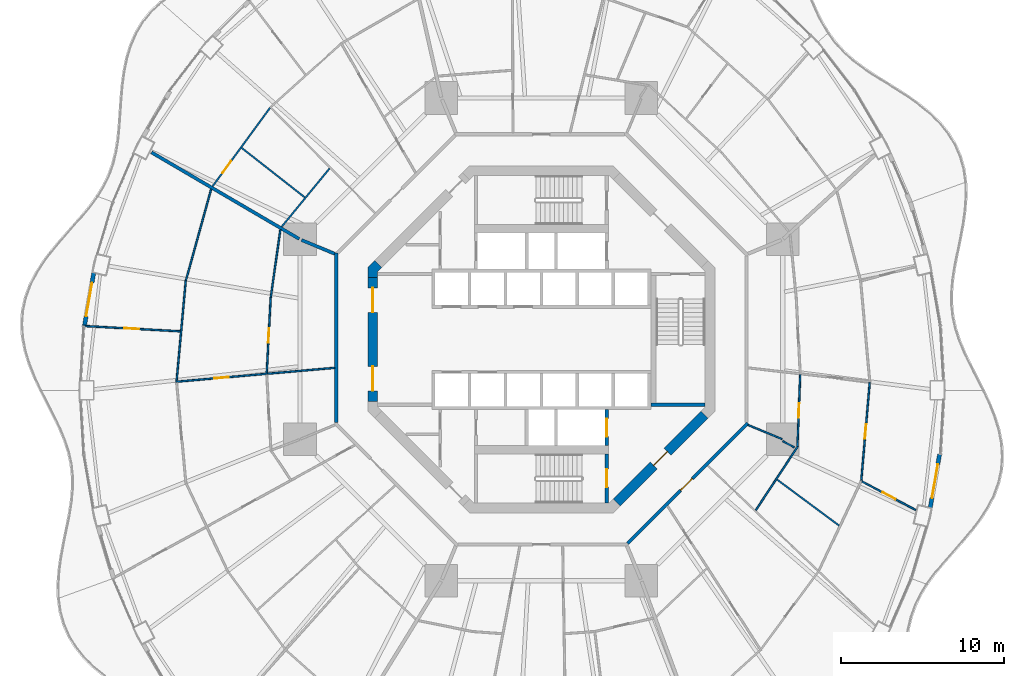
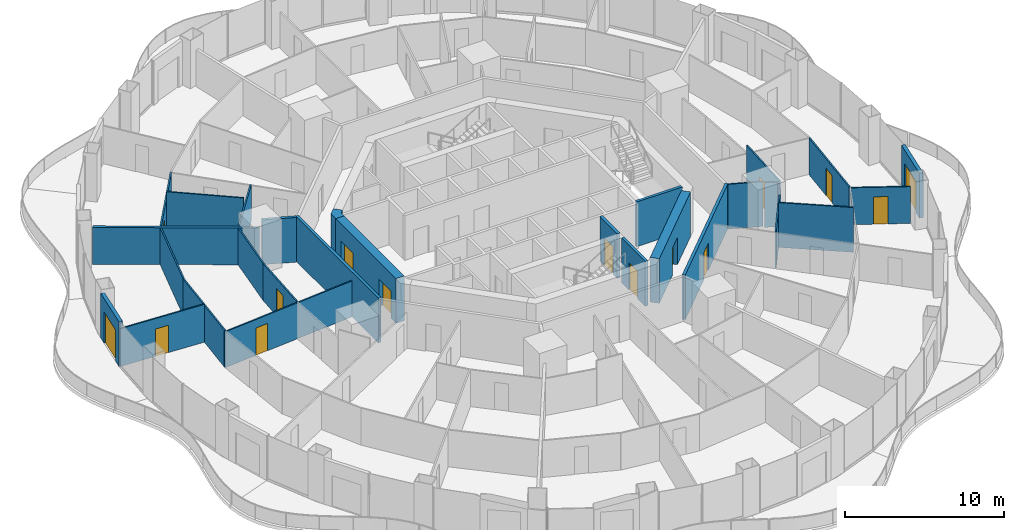
# One storey, part 14 of 20: 28 walls, 15 doors, 15 openings.
"""IFC4 building model written with IfcOpenShell, lengths in metres."""

from ifc_helpers import new_model, si_unit, direction, frame, frame_2d, origin, place, context, subcontext, project, spatial, polyline, rectangle, outline, extrude, material, layer, layer_set, type_object, element, fill, save


model = new_model("IFC4")

# Units and contexts
model_context = context("Model", 3, precision=1e-05, world=origin(), true_north=direction((0.0, 1.0)))
body_context = subcontext(model_context, "Body", "Model", "MODEL_VIEW")
ifc_project = project(units=[si_unit("LENGTHUNIT", "METRE"), si_unit("AREAUNIT", "SQUARE_METRE"), si_unit("VOLUMEUNIT", "CUBIC_METRE"), si_unit("PLANEANGLEUNIT", "RADIAN"), si_unit("MASSUNIT", "GRAM", prefix="KILO")], contexts=[model_context])

# Site, building, storey
site_placement = place(None, origin())
site = spatial("IfcSite", under=ifc_project, at=site_placement, CompositionType="ELEMENT")
building_placement = place(site_placement, origin())
building = spatial("IfcBuilding", under=site, at=building_placement, Name="Nagisa Residences", CompositionType="ELEMENT")
storey_placement = place(building_placement, frame((0.0, 0.0, 130.699951171875)))
storey = spatial("IfcBuildingStorey", under=building, at=storey_placement, Name="L32", CompositionType="ELEMENT", Elevation=130.699951171875)

# Walls
ifc_material_1 = material(Name="Gypsum board on steel studs", Category="steel")
ifc_layer_1 = layer(ifc_material_1, 0.199951171875)
ifc_layer_set_1 = layer_set([ifc_layer_1], Name="Apartment compartment wall EI60 200")
wall_type_1 = type_object("IfcWallType", Name="Apartment compartment wall EI60 200", PredefinedType="PARTITIONING", material=ifc_layer_set_1)
wall_1_placement = place(storey_placement, frame((-12.6572265625, 5.24267578125, 0.0), z_axis=(0.0, 0.0, 1.0), x_axis=(-0.923869415315, 0.382707856524, 0.0)))
element("IfcWall", 1, at=wall_1_placement, inside=storey, type_object=wall_type_1, Name="wall:L32:u04", PredefinedType="PARTITIONING", context=body_context, shape_type="SweptSolid", body=[
    extrude(rectangle(XDim=2.2001953125, YDim=0.199951171875, at=frame_2d((1.10009765625, 0.0))), origin(), (0.0, 0.0, 1.0), 3.43994140625),
])
wall_2_placement = place(storey_placement, frame((-14.8251953125, 6.148193359375, 0.0), z_axis=(0.0, 0.0, 1.0), x_axis=(-0.862852031662, 0.505456597006, 0.0)))
element("IfcWall", 2, at=wall_2_placement, inside=storey, type_object=wall_type_1, Name="wall:L32:u05", PredefinedType="PARTITIONING", context=body_context, shape_type="SweptSolid", body=[
    extrude(rectangle(XDim=10.487060546875, YDim=0.199951171875, at=frame_2d((5.24365234375, 0.0))), origin(), (0.0, 0.0, 1.0), 2.828125),
])
ifc_material_2 = material(Name="Gypsum board on steel studs", Category="steel")
ifc_layer_2 = layer(ifc_material_2, 0.199951171875)
ifc_layer_set_2 = layer_set([ifc_layer_2], Name="Apartment entry wall EI60 200")
wall_type_2 = type_object("IfcWallType", Name="Apartment entry wall EI60 200", PredefinedType="PARTITIONING", material=ifc_layer_set_2)
wall_3_placement = place(storey_placement, frame((-12.564697265625, 5.304443359375, 0.0), z_axis=(0.0, 0.0, 1.0), x_axis=(0.0, -1.0, 0.0)))
element("IfcWall", 3, at=wall_3_placement, inside=storey, type_object=wall_type_2, Name="wall:L32:u14", PredefinedType="PARTITIONING", context=body_context, shape_type="SweptSolid", body=[
    extrude(rectangle(XDim=10.408935546875, YDim=0.199951171875, at=frame_2d((5.20458984375, 0.0))), origin(), (0.0, 0.0, 1.0), 3.43994140625),
])

# Wall, opening, door
wall_4_placement = place(storey_placement, frame((5.275146484375, -12.494140625, 0.0), z_axis=(0.0, 0.0, 1.0), x_axis=(0.707106781187, 0.707106781187, 0.0)))
wall_4 = element("IfcWall", 4, at=wall_4_placement, inside=storey, type_object=wall_type_2, Name="wall:L32:u17", PredefinedType="PARTITIONING", context=body_context, shape_type="SweptSolid", body=[
    extrude(rectangle(XDim=10.4091796875, YDim=0.199951171875, at=frame_2d((5.20458984375, 0.0))), origin(), (0.0, 0.0, 1.0), 3.43994140625),
])
opening_1_placement = place(wall_4_placement, frame((4.6044921875, 0.0, 0.0)))
opening_1 = element("IfcOpeningElement", 5, at=opening_1_placement, cuts=wall_4, Name="Opening L32-U31", PredefinedType="OPENING", context=body_context, shape_type="SweptSolid", body=[
    extrude(rectangle(XDim=1.0, YDim=2.10009765625, at=frame_2d((0.5, 1.050048828125))), frame((0.0, 0.10986328125, 0.0), z_axis=(0.0, -1.0, 0.0), x_axis=(1.0, 0.0, 0.0)), (0.0, 0.0, 1.0), 0.219970703125),
])
ifc_material_3 = material(Name="Timber fire door set", Category="wood")
door_type_1 = type_object("IfcDoorType", Name="Apartment entry door FD30S 1000x2100", OperationType="NOTDEFINED", PredefinedType="DOOR", material=ifc_material_3)
door_1_placement = place(opening_1_placement, frame((1.0, 0.0, 0.0), x_axis=(-1.0, 0.0, 0.0)))
door_1 = element("IfcDoor", 6, at=door_1_placement, inside=storey, type_object=door_type_1, Name="Entry door, Apartment 32D", OperationType="SINGLE_SWING_RIGHT", OverallHeight=2.10009765625, OverallWidth=1.0, PredefinedType="DOOR", context=body_context, shape_type="SweptSolid", body=[
    extrude(rectangle(XDim=1.0, YDim=2.10009765625, at=frame_2d((0.5, 1.050048828125))), frame((0.0, 0.02490234375, 0.0), z_axis=(0.0, -1.0, 0.0), x_axis=(1.0, 0.0, 0.0)), (0.0, 0.0, 1.0), 0.050048828125),
])
fill(opening_1, door_1)

ifc_material_4 = material(Name="Gypsum board on steel studs", Category="steel")
ifc_layer_3 = layer(ifc_material_4, 0.10009765625)
ifc_layer_set_3 = layer_set([ifc_layer_3], Name="Apartment partition 100")
wall_type_3 = type_object("IfcWallType", Name="Apartment partition 100", PredefinedType="PARTITIONING", material=ifc_layer_set_3)
wall_5_placement = place(storey_placement, frame((15.848876953125, -2.158203125, 0.0), z_axis=(0.0, 0.0, 1.0), x_axis=(-0.038390448414, -0.999262815014, 0.0)))
wall_5 = element("IfcWall", 7, at=wall_5_placement, inside=storey, type_object=wall_type_3, Name="wall:L32:u20", PredefinedType="PARTITIONING", context=body_context, shape_type="SweptSolid", body=[
    extrude(rectangle(XDim=4.394287109375, YDim=0.10009765625, at=frame_2d((2.197265625, 0.0))), origin(), (0.0, 0.0, 1.0), 3.43994140625),
])
opening_2_placement = place(wall_5_placement, frame((1.747314453125, 0.0, 0.0)))
opening_2 = element("IfcOpeningElement", 8, at=opening_2_placement, cuts=wall_5, Name="Opening L32-U42", PredefinedType="OPENING", context=body_context, shape_type="SweptSolid", body=[
    extrude(rectangle(XDim=0.89990234375, YDim=2.10009765625, at=frame_2d((0.449951171875, 1.050048828125))), frame((0.0, 0.06005859375, 0.0), z_axis=(0.0, -1.0, 0.0), x_axis=(1.0, 0.0, 0.0)), (0.0, 0.0, 1.0), 0.1201171875),
])
ifc_material_5 = material(Name="Timber door set", Category="wood")
door_type_2 = type_object("IfcDoorType", Name="Apartment door 900x2100", OperationType="NOTDEFINED", PredefinedType="DOOR", material=ifc_material_5)
door_2_placement = place(opening_2_placement, frame((0.89990234375, 0.0, 0.0), x_axis=(-1.0, 0.0, 0.0)))
door_2 = element("IfcDoor", 9, at=door_2_placement, inside=storey, type_object=door_type_2, Name="Door to store, Apartment 32D", OperationType="SINGLE_SWING_LEFT", OverallHeight=2.10009765625, OverallWidth=0.89990234375, PredefinedType="DOOR", context=body_context, shape_type="SweptSolid", body=[
    extrude(rectangle(XDim=0.89990234375, YDim=2.10009765625, at=frame_2d((0.449951171875, 1.050048828125))), frame((0.0, 0.02490234375, 0.0), z_axis=(0.0, -1.0, 0.0), x_axis=(1.0, 0.0, 0.0)), (0.0, 0.0, 1.0), 0.050048828125),
])
fill(opening_2, door_2)

wall_6_placement = place(storey_placement, frame((20.10595703125, -2.64208984375, 0.0), z_axis=(0.0, 0.0, 1.0), x_axis=(-0.085672025822, -0.996323393277, 0.0)))
wall_6 = element("IfcWall", 10, at=wall_6_placement, inside=storey, type_object=wall_type_3, Name="wall:L32:u22", PredefinedType="PARTITIONING", context=body_context, shape_type="SweptSolid", body=[
    extrude(rectangle(XDim=6.007080078125, YDim=0.10009765625, at=frame_2d((3.00341796875, 0.0))), origin(), (0.0, 0.0, 1.0), 2.828125),
])
opening_3_placement = place(wall_6_placement, frame((2.5537109375, 0.0, 0.0)))
opening_3 = element("IfcOpeningElement", 11, at=opening_3_placement, cuts=wall_6, Name="Opening L32-U40", PredefinedType="OPENING", context=body_context, shape_type="SweptSolid", body=[
    extrude(rectangle(XDim=0.89990234375, YDim=2.10009765625, at=frame_2d((0.449951171875, 1.050048828125))), frame((0.0, 0.06005859375, 0.0), z_axis=(0.0, -1.0, 0.0), x_axis=(1.0, 0.0, 0.0)), (0.0, 0.0, 1.0), 0.1201171875),
])
door_3_placement = place(opening_3_placement, frame((0.89990234375, 0.0, 0.0), x_axis=(-1.0, 0.0, 0.0)))
door_3 = element("IfcDoor", 12, at=door_3_placement, inside=storey, type_object=door_type_2, Name="Door to dining room, Apartment 32D", OperationType="SINGLE_SWING_LEFT", OverallHeight=2.10009765625, OverallWidth=0.89990234375, PredefinedType="DOOR", context=body_context, shape_type="SweptSolid", body=[
    extrude(rectangle(XDim=0.89990234375, YDim=2.10009765625, at=frame_2d((0.449951171875, 1.050048828125))), frame((0.0, 0.02490234375, 0.0), z_axis=(0.0, -1.0, 0.0), x_axis=(1.0, 0.0, 0.0)), (0.0, 0.0, 1.0), 0.050048828125),
])
fill(opening_3, door_3)

# Wall
wall_7_placement = place(storey_placement, frame((-12.965087890625, 10.474609375, 0.0), z_axis=(0.0, 0.0, 1.0), x_axis=(-0.634943961338, -0.772558195841, 0.0)))
element("IfcWall", 13, at=wall_7_placement, inside=storey, type_object=wall_type_3, Name="wall:L32:u48", PredefinedType="PARTITIONING", context=body_context, shape_type="SweptSolid", body=[
    extrude(rectangle(XDim=4.632080078125, YDim=0.10009765625, at=frame_2d((2.31591796875, 0.0))), origin(), (0.0, 0.0, 1.0), 2.828125),
])

# Wall, opening, door
wall_8_placement = place(storey_placement, frame((-16.620849609375, 14.17431640625, 0.0), z_axis=(0.0, 0.0, 1.0), x_axis=(-0.590674917338, -0.806909624449, 0.0)))
wall_8 = element("IfcWall", 14, at=wall_8_placement, inside=storey, type_object=wall_type_3, Name="wall:L32:u49", PredefinedType="PARTITIONING", context=body_context, shape_type="SweptSolid", body=[
    extrude(rectangle(XDim=5.948974609375, YDim=0.10009765625, at=frame_2d((2.974609375, 0.0))), origin(), (0.0, 0.0, 1.0), 2.828125),
])
opening_4_placement = place(wall_8_placement, frame((4.0244140625, 0.0, 0.0)))
opening_4 = element("IfcOpeningElement", 15, at=opening_4_placement, cuts=wall_8, Name="Opening L32-U08", PredefinedType="OPENING", context=body_context, shape_type="SweptSolid", body=[
    extrude(rectangle(XDim=0.89990234375, YDim=2.10009765625, at=frame_2d((0.449951171875, 1.050048828125))), frame((0.0, 0.06005859375, 0.0), z_axis=(0.0, -1.0, 0.0), x_axis=(1.0, 0.0, 0.0)), (0.0, 0.0, 1.0), 0.1201171875),
])
door_4_placement = place(opening_4_placement, origin())
door_4 = element("IfcDoor", 16, at=door_4_placement, inside=storey, type_object=door_type_2, Name="Door to en-suite bathroom, Apartment 32A", OperationType="SINGLE_SWING_RIGHT", OverallHeight=2.10009765625, OverallWidth=0.89990234375, PredefinedType="DOOR", context=body_context, shape_type="SweptSolid", body=[
    extrude(rectangle(XDim=0.89990234375, YDim=2.10009765625, at=frame_2d((0.449951171875, 1.050048828125))), frame((0.0, 0.02490234375, 0.0), z_axis=(0.0, -1.0, 0.0), x_axis=(1.0, 0.0, 0.0)), (0.0, 0.0, 1.0), 0.050048828125),
])
fill(opening_4, door_4)

# Walls
wall_9_placement = place(storey_placement, frame((-14.490966796875, 8.69677734375, 0.0), z_axis=(0.0, 0.0, 1.0), x_axis=(-0.787139479951, 0.616775031193, 0.0)))
element("IfcWall", 17, at=wall_9_placement, inside=storey, type_object=wall_type_3, Name="wall:L32:u50", PredefinedType="PARTITIONING", context=body_context, shape_type="SweptSolid", body=[
    extrude(rectangle(XDim=4.90673828125, YDim=0.10009765625, at=frame_2d((2.453369140625, 0.0))), origin(), (0.0, 0.0, 1.0), 3.43994140625),
])
wall_10_placement = place(storey_placement, frame((-15.98388671875, 6.7197265625, 0.0), z_axis=(0.0, 0.0, 1.0), x_axis=(-0.140684869512, -0.990054426529, 0.0)))
element("IfcWall", 18, at=wall_10_placement, inside=storey, type_object=wall_type_3, Name="wall:L32:u51", PredefinedType="PARTITIONING", context=body_context, shape_type="SweptSolid", body=[
    extrude(rectangle(XDim=4.177001953125, YDim=0.10009765625, at=frame_2d((2.08837890625, 0.0))), origin(), (0.0, 0.0, 1.0), 2.828125),
])
wall_11_placement = place(storey_placement, frame((-20.220703125, 9.19677734375, 0.0), z_axis=(0.0, 0.0, 1.0), x_axis=(-0.267398009191, -0.963586168789, 0.0)))
element("IfcWall", 19, at=wall_11_placement, inside=storey, type_object=wall_type_3, Name="wall:L32:u52", PredefinedType="PARTITIONING", context=body_context, shape_type="SweptSolid", body=[
    extrude(rectangle(XDim=5.78759765625, YDim=0.10009765625, at=frame_2d((2.893798828125, 0.0))), origin(), (0.0, 0.0, 1.0), 2.828125),
])

# Wall, opening, door
wall_12_placement = place(storey_placement, frame((-16.575927734375, 2.584716796875, 0.0), z_axis=(0.0, 0.0, 1.0), x_axis=(-0.052509224895, -0.998620439056, 0.0)))
wall_12 = element("IfcWall", 20, at=wall_12_placement, inside=storey, type_object=wall_type_3, Name="wall:L32:u53", PredefinedType="PARTITIONING", context=body_context, shape_type="SweptSolid", body=[
    extrude(rectangle(XDim=4.6494140625, YDim=0.10009765625, at=frame_2d((2.32470703125, 0.0))), origin(), (0.0, 0.0, 1.0), 2.828125),
])
opening_5_placement = place(wall_12_placement, frame((1.899658203125, 0.0, 0.0)))
opening_5 = element("IfcOpeningElement", 21, at=opening_5_placement, cuts=wall_12, Name="Opening L32-U21", PredefinedType="OPENING", context=body_context, shape_type="SweptSolid", body=[
    extrude(rectangle(XDim=0.89990234375, YDim=2.10009765625, at=frame_2d((0.449951171875, 1.050048828125))), frame((0.0, 0.06005859375, 0.0), z_axis=(0.0, -1.0, 0.0), x_axis=(1.0, 0.0, 0.0)), (0.0, 0.0, 1.0), 0.1201171875),
])
door_5_placement = place(opening_5_placement, origin())
door_5 = element("IfcDoor", 22, at=door_5_placement, inside=storey, type_object=door_type_2, Name="Door to laundry, Apartment 32B", OperationType="SINGLE_SWING_LEFT", OverallHeight=2.10009765625, OverallWidth=0.89990234375, PredefinedType="DOOR", context=body_context, shape_type="SweptSolid", body=[
    extrude(rectangle(XDim=0.89990234375, YDim=2.10009765625, at=frame_2d((0.449951171875, 1.050048828125))), frame((0.0, 0.02490234375, 0.0), z_axis=(0.0, -1.0, 0.0), x_axis=(1.0, 0.0, 0.0)), (0.0, 0.0, 1.0), 0.050048828125),
])
fill(opening_5, door_5)

# Wall
wall_13_placement = place(storey_placement, frame((-21.777099609375, 3.621337890625, 0.0), z_axis=(0.0, 0.0, 1.0), x_axis=(-0.090606877484, -0.995886737412, 0.0)))
element("IfcWall", 23, at=wall_13_placement, inside=storey, type_object=wall_type_3, Name="wall:L32:u54", PredefinedType="PARTITIONING", context=body_context, shape_type="SweptSolid", body=[
    extrude(rectangle(XDim=6.189208984375, YDim=0.10009765625, at=frame_2d((3.0947265625, 0.0))), origin(), (0.0, 0.0, 1.0), 2.828125),
])

# Wall, opening, door
wall_14_placement = place(storey_placement, frame((-22.112060546875, 0.492431640625, 0.0), z_axis=(0.0, 0.0, 1.0), x_axis=(-0.998479185151, 0.055129999278, 0.0)))
wall_14 = element("IfcWall", 24, at=wall_14_placement, inside=storey, type_object=wall_type_3, Name="wall:L32:u55", PredefinedType="PARTITIONING", context=body_context, shape_type="SweptSolid", body=[
    extrude(rectangle(XDim=5.965087890625, YDim=0.10009765625, at=frame_2d((2.982421875, 0.0))), origin(), (0.0, 0.0, 1.0), 2.905029296875),
])
opening_6_placement = place(wall_14_placement, frame((2.53271484375, 0.0, 0.0)))
opening_6 = element("IfcOpeningElement", 25, at=opening_6_placement, cuts=wall_14, Name="Opening L32-U20", PredefinedType="OPENING", context=body_context, shape_type="SweptSolid", body=[
    extrude(rectangle(XDim=0.89990234375, YDim=2.10009765625, at=frame_2d((0.449951171875, 1.050048828125))), frame((0.0, 0.06005859375, 0.0), z_axis=(0.0, -1.0, 0.0), x_axis=(1.0, 0.0, 0.0)), (0.0, 0.0, 1.0), 0.1201171875),
])
door_6_placement = place(opening_6_placement, frame((0.89990234375, 0.0, 0.0), x_axis=(-1.0, 0.0, 0.0)))
door_6 = element("IfcDoor", 26, at=door_6_placement, inside=storey, type_object=door_type_2, Name="Door to master bedroom, Apartment 32B", OperationType="SINGLE_SWING_LEFT", OverallHeight=2.10009765625, OverallWidth=0.89990234375, PredefinedType="DOOR", context=body_context, shape_type="SweptSolid", body=[
    extrude(rectangle(XDim=0.89990234375, YDim=2.10009765625, at=frame_2d((0.449951171875, 1.050048828125))), frame((0.0, 0.02490234375, 0.0), z_axis=(0.0, -1.0, 0.0), x_axis=(1.0, 0.0, 0.0)), (0.0, 0.0, 1.0), 0.050048828125),
])
fill(opening_6, door_6)

wall_15_placement = place(storey_placement, frame((-12.664306640625, -1.74365234375, 0.0), z_axis=(0.0, 0.0, 1.0), x_axis=(-0.99617728169, -0.087354584571, 0.0)))
wall_15 = element("IfcWall", 27, at=wall_15_placement, inside=storey, type_object=wall_type_3, Name="wall:L32:u56", PredefinedType="PARTITIONING", context=body_context, shape_type="SweptSolid", body=[
    extrude(rectangle(XDim=9.76513671875, YDim=0.10009765625, at=frame_2d((4.882568359375, 0.0))), origin(), (0.0, 0.0, 1.0), 2.756103515625),
])
opening_7_placement = place(wall_15_placement, frame((6.49462890625, 0.0, 0.0)))
opening_7 = element("IfcOpeningElement", 28, at=opening_7_placement, cuts=wall_15, Name="Opening L32-U19", PredefinedType="OPENING", context=body_context, shape_type="SweptSolid", body=[
    extrude(rectangle(XDim=0.89990234375, YDim=2.10009765625, at=frame_2d((0.449951171875, 1.050048828125))), frame((0.0, 0.06005859375, 0.0), z_axis=(0.0, -1.0, 0.0), x_axis=(1.0, 0.0, 0.0)), (0.0, 0.0, 1.0), 0.1201171875),
])
door_7_placement = place(opening_7_placement, frame((0.89990234375, 0.0, 0.0), x_axis=(-1.0, 0.0, 0.0)))
door_7 = element("IfcDoor", 29, at=door_7_placement, inside=storey, type_object=door_type_2, Name="Door to dining room, Apartment 32B", OperationType="SINGLE_SWING_RIGHT", OverallHeight=2.10009765625, OverallWidth=0.89990234375, PredefinedType="DOOR", context=body_context, shape_type="SweptSolid", body=[
    extrude(rectangle(XDim=0.89990234375, YDim=2.10009765625, at=frame_2d((0.449951171875, 1.050048828125))), frame((0.0, 0.02490234375, 0.0), z_axis=(0.0, -1.0, 0.0), x_axis=(1.0, 0.0, 0.0)), (0.0, 0.0, 1.0), 0.050048828125),
])
fill(opening_7, door_7)

# Walls
wall_16_placement = place(storey_placement, frame((13.12744140625, -10.466552734375, 0.0), z_axis=(0.0, 0.0, 1.0), x_axis=(0.550614843759, 0.834759422727, 0.0)))
element("IfcWall", 30, at=wall_16_placement, inside=storey, type_object=wall_type_3, Name="wall:L32:u86", PredefinedType="PARTITIONING", context=body_context, shape_type="SweptSolid", body=[
    extrude(rectangle(XDim=4.6826171875, YDim=0.10009765625, at=frame_2d((2.34130859375, 0.0))), origin(), (0.0, 0.0, 1.0), 2.828125),
])
wall_17_placement = place(storey_placement, frame((14.42919921875, -8.58349609375, 0.0), z_axis=(0.0, 0.0, 1.0), x_axis=(0.803162355549, -0.595760212358, 0.0)))
element("IfcWall", 31, at=wall_17_placement, inside=storey, type_object=wall_type_3, Name="wall:L32:u88", PredefinedType="PARTITIONING", context=body_context, shape_type="SweptSolid", body=[
    extrude(rectangle(XDim=4.7451171875, YDim=0.10009765625, at=frame_2d((2.37255859375, 0.0))), origin(), (0.0, 0.0, 1.0), 3.43994140625),
])
wall_18_placement = place(storey_placement, frame((12.6572265625, -5.24267578125, 0.0), z_axis=(0.0, 0.0, 1.0), x_axis=(0.923864733477, -0.382719158442, 0.0)))
element("IfcWall", 32, at=wall_18_placement, inside=storey, type_object=wall_type_3, Name="wall:L32:u89", PredefinedType="PARTITIONING", context=body_context, shape_type="SweptSolid", body=[
    extrude(rectangle(XDim=2.25, YDim=0.10009765625, at=frame_2d((1.125, 0.0))), origin(), (0.0, 0.0, 1.0), 3.43994140625),
])

# Wall, opening, door
wall_19_placement = place(storey_placement, frame((19.631103515625, -8.700439453125, 0.0), z_axis=(0.0, 0.0, 1.0), x_axis=(0.883011478612, -0.469351391433, 0.0)))
wall_19 = element("IfcWall", 33, at=wall_19_placement, inside=storey, type_object=wall_type_3, Name="wall:L32:u90", PredefinedType="PARTITIONING", context=body_context, shape_type="SweptSolid", body=[
    extrude(rectangle(XDim=3.730712890625, YDim=0.10009765625, at=frame_2d((1.865234375, 0.0))), origin(), (0.0, 0.0, 1.0), 2.828125),
])
opening_8_placement = place(wall_19_placement, frame((1.415283203125, 0.0, 0.0)))
opening_8 = element("IfcOpeningElement", 34, at=opening_8_placement, cuts=wall_19, Name="Opening L32-U38", PredefinedType="OPENING", context=body_context, shape_type="SweptSolid", body=[
    extrude(rectangle(XDim=0.89990234375, YDim=2.10009765625, at=frame_2d((0.449951171875, 1.050048828125))), frame((0.0, 0.06005859375, 0.0), z_axis=(0.0, -1.0, 0.0), x_axis=(1.0, 0.0, 0.0)), (0.0, 0.0, 1.0), 0.1201171875),
])
door_8_placement = place(opening_8_placement, origin())
door_8 = element("IfcDoor", 35, at=door_8_placement, inside=storey, type_object=door_type_2, Name="Door to living room, Apartment 32D", OperationType="SINGLE_SWING_RIGHT", OverallHeight=2.10009765625, OverallWidth=0.89990234375, PredefinedType="DOOR", context=body_context, shape_type="SweptSolid", body=[
    extrude(rectangle(XDim=0.89990234375, YDim=2.10009765625, at=frame_2d((0.449951171875, 1.050048828125))), frame((0.0, 0.02490234375, 0.0), z_axis=(0.0, -1.0, 0.0), x_axis=(1.0, 0.0, 0.0)), (0.0, 0.0, 1.0), 0.050048828125),
])
fill(opening_8, door_8)

# Wall
wall_20_placement = place(storey_placement, frame((14.77392578125, -6.23193359375, 0.0), z_axis=(0.0, 0.0, 1.0), x_axis=(0.883135211276, -0.46911853364, 0.0)))
element("IfcWall", 36, at=wall_20_placement, inside=storey, type_object=wall_type_3, Name="wall:L32:u91", PredefinedType="PARTITIONING", context=body_context, shape_type="SweptSolid", body=[
    extrude(rectangle(XDim=0.810791015625, YDim=0.10009765625, at=frame_2d((0.4052734375, 0.0))), origin(), (0.0, 0.0, 1.0), 3.43994140625),
])

# Wall, opening, door
ifc_material_6 = material(Name="Precast concrete C40/50", Category="concrete")
ifc_layer_4 = layer(ifc_material_6, 0.25)
ifc_layer_set_4 = layer_set([ifc_layer_4], Name="BALCONY DOOR WALL 250")
wall_type_4 = type_object("IfcWallType", Name="BALCONY DOOR WALL 250", PredefinedType="SOLIDWALL", material=ifc_layer_set_4)
wall_21_placement = place(storey_placement, frame((-27.98486328125, 0.802001953125, 0.0), z_axis=(0.0, 0.0, 1.0), x_axis=(0.172163521006, 0.985068384446, 0.0)))
wall_21 = element("IfcWall", 37, at=wall_21_placement, inside=storey, type_object=wall_type_4, Name="wall:L32:bay22", PredefinedType="SOLIDWALL", context=body_context, shape_type="SweptSolid", body=[
    extrude(rectangle(XDim=3.33251953125, YDim=0.25, at=frame_2d((1.666259765625, 0.0))), origin(), (0.0, 0.0, 1.0), 3.43994140625),
])
opening_9_placement = place(wall_21_placement, frame((0.6162109375, 0.0, 0.0)))
opening_9 = element("IfcOpeningElement", 38, at=opening_9_placement, cuts=wall_21, Name="Opening BD-L32-08", PredefinedType="OPENING", context=body_context, shape_type="SweptSolid", body=[
    extrude(rectangle(XDim=2.10009765625, YDim=2.39990234375, at=frame_2d((1.050048828125, 1.199951171875))), frame((0.0, 0.135009765625, 0.0), z_axis=(0.0, -1.0, 0.0), x_axis=(1.0, 0.0, 0.0)), (0.0, 0.0, 1.0), 0.27001953125),
])
ifc_material_7 = material(Name="Aluminium and clear glass", Category="aluminium")
door_type_3 = type_object("IfcDoorType", Name="BALCONY SLIDING DOOR 2100x2400", OperationType="SLIDING_TO_LEFT", PredefinedType="DOOR", material=ifc_material_7)
door_9_placement = place(opening_9_placement, origin())
door_9 = element("IfcDoor", 39, at=door_9_placement, inside=storey, type_object=door_type_3, Name="door:L32:bay22", OperationType="SLIDING_TO_LEFT", OverallHeight=2.39990234375, OverallWidth=2.10009765625, PredefinedType="DOOR", context=body_context, shape_type="SweptSolid", body=[
    extrude(rectangle(XDim=2.10009765625, YDim=2.39990234375, at=frame_2d((1.050048828125, 1.199951171875))), frame((0.0, 0.02490234375, 0.0), z_axis=(0.0, -1.0, 0.0), x_axis=(1.0, 0.0, 0.0)), (0.0, 0.0, 1.0), 0.050048828125),
])
fill(opening_9, door_9)

wall_22_placement = place(storey_placement, frame((24.384765625, -7.037353515625, 0.0), z_axis=(0.0, 0.0, 1.0), x_axis=(-0.172163521006, -0.985068384446, 0.0)))
wall_22 = element("IfcWall", 40, at=wall_22_placement, inside=storey, type_object=wall_type_4, Name="wall:L32:bay46", PredefinedType="SOLIDWALL", context=body_context, shape_type="SweptSolid", body=[
    extrude(rectangle(XDim=3.33251953125, YDim=0.25, at=frame_2d((1.666259765625, 0.0))), origin(), (0.0, 0.0, 1.0), 3.43994140625),
])
opening_10_placement = place(wall_22_placement, frame((0.6162109375, 0.0, 0.0)))
opening_10 = element("IfcOpeningElement", 41, at=opening_10_placement, cuts=wall_22, Name="Opening BD-L32-16", PredefinedType="OPENING", context=body_context, shape_type="SweptSolid", body=[
    extrude(rectangle(XDim=2.10009765625, YDim=2.39990234375, at=frame_2d((1.050048828125, 1.199951171875))), frame((0.0, 0.135009765625, 0.0), z_axis=(0.0, -1.0, 0.0), x_axis=(1.0, 0.0, 0.0)), (0.0, 0.0, 1.0), 0.27001953125),
])
door_10_placement = place(opening_10_placement, origin())
door_10 = element("IfcDoor", 42, at=door_10_placement, inside=storey, type_object=door_type_3, Name="door:L32:bay46", OperationType="SLIDING_TO_LEFT", OverallHeight=2.39990234375, OverallWidth=2.10009765625, PredefinedType="DOOR", context=body_context, shape_type="SweptSolid", body=[
    extrude(rectangle(XDim=2.10009765625, YDim=2.39990234375, at=frame_2d((1.050048828125, 1.199951171875))), frame((0.0, 0.02490234375, 0.0), z_axis=(0.0, -1.0, 0.0), x_axis=(1.0, 0.0, 0.0)), (0.0, 0.0, 1.0), 0.050048828125),
])
fill(opening_10, door_10)

# Wall, openings, doors
ifc_material_8 = material(Name="Concrete C60", Category="concrete")
ifc_layer_5 = layer(ifc_material_8, 0.60009765625)
ifc_layer_set_5 = layer_set([ifc_layer_5], Name="Core shear wall 600")
wall_type_5 = type_object("IfcWallType", Name="Core shear wall 600", PredefinedType="SHEAR", material=ifc_layer_set_5)
wall_23_placement = place(storey_placement, frame((-10.32470703125, 3.80078125, 0.0), z_axis=(0.0, 0.0, 1.0), x_axis=(0.0, -1.0, 0.0)))
wall_23 = element("IfcWall", 43, at=wall_23_placement, inside=storey, type_object=wall_type_5, Name="wall:L32:core:flat4", PredefinedType="SHEAR", context=body_context, shape_type="SweptSolid", body=[
    extrude(rectangle(XDim=7.6015625, YDim=0.60009765625, at=frame_2d((3.80078125, 0.0))), origin(), (0.0, 0.0, 1.0), 3.43994140625),
])
opening_11_placement = place(wall_23_placement, frame((0.65087890625, 0.0, 0.0)))
opening_11 = element("IfcOpeningElement", 44, at=opening_11_placement, cuts=wall_23, Name="Opening L32-C19", PredefinedType="OPENING", context=body_context, shape_type="SweptSolid", body=[
    extrude(rectangle(XDim=1.5, YDim=2.10009765625, at=frame_2d((0.75, 1.050048828125))), frame((0.0, 0.31005859375, 0.0), z_axis=(0.0, -1.0, 0.0), x_axis=(1.0, 0.0, 0.0)), (0.0, 0.0, 1.0), 0.6201171875),
])
opening_12_placement = place(wall_23_placement, frame((5.450927734375, 0.0, 0.0)))
opening_12 = element("IfcOpeningElement", 45, at=opening_12_placement, cuts=wall_23, Name="Opening L32-C20", PredefinedType="OPENING", context=body_context, shape_type="SweptSolid", body=[
    extrude(rectangle(XDim=1.5, YDim=2.10009765625, at=frame_2d((0.75, 1.050048828125))), frame((0.0, 0.31005859375, 0.0), z_axis=(0.0, -1.0, 0.0), x_axis=(1.0, 0.0, 0.0)), (0.0, 0.0, 1.0), 0.6201171875),
])
ifc_material_9 = material(Name="Steel fire door", Category="steel")
door_type_4 = type_object("IfcDoorType", Name="Fire door EI60 1500x2100 double door single swing", OperationType="DOUBLE_DOOR_SINGLE_SWING", PredefinedType="DOOR", material=ifc_material_9)
door_11_placement = place(opening_11_placement, origin())
door_11 = element("IfcDoor", 46, at=door_11_placement, inside=storey, type_object=door_type_4, Name="Lift lobby door L32 1", OperationType="DOUBLE_DOOR_SINGLE_SWING", OverallHeight=2.10009765625, OverallWidth=1.5, PredefinedType="DOOR", context=body_context, shape_type="SweptSolid", body=[
    extrude(rectangle(XDim=1.5, YDim=2.10009765625, at=frame_2d((0.75, 1.050048828125))), frame((0.0, 0.02490234375, 0.0), z_axis=(0.0, -1.0, 0.0), x_axis=(1.0, 0.0, 0.0)), (0.0, 0.0, 1.0), 0.050048828125),
])
fill(opening_11, door_11)
door_12_placement = place(opening_12_placement, origin())
door_12 = element("IfcDoor", 47, at=door_12_placement, inside=storey, type_object=door_type_4, Name="Lift lobby door L32 2", OperationType="DOUBLE_DOOR_SINGLE_SWING", OverallHeight=2.10009765625, OverallWidth=1.5, PredefinedType="DOOR", context=body_context, shape_type="SweptSolid", body=[
    extrude(rectangle(XDim=1.5, YDim=2.10009765625, at=frame_2d((0.75, 1.050048828125))), frame((0.0, 0.02490234375, 0.0), z_axis=(0.0, -1.0, 0.0), x_axis=(1.0, 0.0, 0.0)), (0.0, 0.0, 1.0), 0.050048828125),
])
fill(opening_12, door_12)

# Wall, opening, door
wall_24_placement = place(storey_placement, frame((4.613037109375, -9.98828125, 0.0), z_axis=(0.0, 0.0, 1.0), x_axis=(0.707106781187, 0.707106781187, 0.0)))
wall_24 = element("IfcWall", 48, at=wall_24_placement, inside=storey, type_object=wall_type_5, Name="wall:L32:core:flat7", PredefinedType="SHEAR", context=body_context, shape_type="SweptSolid", body=[
    extrude(rectangle(XDim=7.601806640625, YDim=0.60009765625, at=frame_2d((3.80078125, 0.0))), origin(), (0.0, 0.0, 1.0), 3.43994140625),
])
opening_13_placement = place(wall_24_placement, frame((3.200927734375, 0.0, 0.0)))
opening_13 = element("IfcOpeningElement", 49, at=opening_13_placement, cuts=wall_24, Name="Opening L32-C18", PredefinedType="OPENING", context=body_context, shape_type="SweptSolid", body=[
    extrude(rectangle(XDim=1.199951171875, YDim=2.10009765625, at=frame_2d((0.60009765625, 1.050048828125))), frame((0.0, 0.31005859375, 0.0), z_axis=(0.0, -1.0, 0.0), x_axis=(1.0, 0.0, 0.0)), (0.0, 0.0, 1.0), 0.6201171875),
])
ifc_material_10 = material(Name="Steel fire door", Category="steel")
door_type_5 = type_object("IfcDoorType", Name="Fire door EI60 1200x2100 single swing", OperationType="NOTDEFINED", PredefinedType="DOOR", material=ifc_material_10)
door_13_placement = place(opening_13_placement, origin())
door_13 = element("IfcDoor", 50, at=door_13_placement, inside=storey, type_object=door_type_5, Name="Firefighting lobby 2 door L32", OperationType="SINGLE_SWING_LEFT", OverallHeight=2.10009765625, OverallWidth=1.199951171875, PredefinedType="DOOR", context=body_context, shape_type="SweptSolid", body=[
    extrude(rectangle(XDim=1.199951171875, YDim=2.10009765625, at=frame_2d((0.60009765625, 1.050048828125))), frame((0.0, 0.02490234375, 0.0), z_axis=(0.0, -1.0, 0.0), x_axis=(1.0, 0.0, 0.0)), (0.0, 0.0, 1.0), 0.050048828125),
])
fill(opening_13, door_13)

# Wall
wall_25_placement = place(storey_placement, origin())
element("IfcWall", 51, at=wall_25_placement, inside=storey, type_object=wall_type_5, Name="wall:L32:core:pier3", PredefinedType="SHEAR", context=body_context, shape_type="SweptSolid", body=[
    extrude(outline(polyline([(-10.200439453125, 4.8251953125), (-9.776123046875, 4.40087890625), (-10.024658203125, 4.15234375), (-10.024658203125, 3.80078125), (-10.62451171875, 3.80078125), (-10.62451171875, 4.40087890625), (-10.200439453125, 4.8251953125)])), origin(), (0.0, 0.0, 1.0), 3.43994140625),
])

# Wall, opening, door
ifc_material_11 = material(Name="Concrete C60", Category="concrete")
ifc_layer_6 = layer(ifc_material_11, 0.199951171875)
ifc_layer_set_6 = layer_set([ifc_layer_6], Name="Lift shaft wall 200")
wall_type_6 = type_object("IfcWallType", Name="Lift shaft wall 200", PredefinedType="SOLIDWALL", material=ifc_layer_set_6)
wall_26_placement = place(storey_placement, frame((4.0, -6.5, 0.0), z_axis=(0.0, 0.0, 1.0), x_axis=(0.0, 1.0, 0.0)))
wall_26 = element("IfcWall", 52, at=wall_26_placement, inside=storey, type_object=wall_type_6, Name="wall:L32:Sb3", PredefinedType="SOLIDWALL", context=body_context, shape_type="SweptSolid", body=[
    extrude(rectangle(XDim=2.199951171875, YDim=0.199951171875, at=frame_2d((1.10009765625, 0.0))), origin(), (0.0, 0.0, 1.0), 3.43994140625),
])
opening_14_placement = place(wall_26_placement, frame((0.550048828125, 0.0, 0.0)))
opening_14 = element("IfcOpeningElement", 53, at=opening_14_placement, cuts=wall_26, Name="Opening L32-C07", PredefinedType="OPENING", context=body_context, shape_type="SweptSolid", body=[
    extrude(rectangle(XDim=1.10009765625, YDim=2.10009765625, at=frame_2d((0.550048828125, 1.050048828125))), frame((0.0, 0.10986328125, 0.0), z_axis=(0.0, -1.0, 0.0), x_axis=(1.0, 0.0, 0.0)), (0.0, 0.0, 1.0), 0.219970703125),
])
ifc_material_12 = material(Name="Stainless steel", Category="steel")
door_type_6 = type_object("IfcDoorType", Name="Lift landing door 1100x2100", OperationType="DOUBLE_DOOR_SLIDING", PredefinedType="DOOR", material=ifc_material_12)
door_14_placement = place(opening_14_placement, origin())
door_14 = element("IfcDoor", 54, at=door_14_placement, inside=storey, type_object=door_type_6, Name="Landing door FL2 L32", OperationType="DOUBLE_DOOR_SLIDING", OverallHeight=2.10009765625, OverallWidth=1.10009765625, PredefinedType="DOOR", context=body_context, shape_type="SweptSolid", body=[
    extrude(rectangle(XDim=1.10009765625, YDim=2.10009765625, at=frame_2d((0.550048828125, 1.050048828125))), frame((0.0, 0.02490234375, 0.0), z_axis=(0.0, -1.0, 0.0), x_axis=(1.0, 0.0, 0.0)), (0.0, 0.0, 1.0), 0.050048828125),
])
fill(opening_14, door_14)

ifc_material_13 = material(Name="Concrete C60", Category="concrete")
ifc_layer_7 = layer(ifc_material_13, 0.199951171875)
ifc_layer_set_7 = layer_set([ifc_layer_7], Name="Stair enclosure wall 200")
wall_type_7 = type_object("IfcWallType", Name="Stair enclosure wall 200", PredefinedType="SOLIDWALL", material=ifc_layer_set_7)
wall_27_placement = place(storey_placement, frame((4.0, -10.024658203125, 0.0), z_axis=(0.0, 0.0, 1.0), x_axis=(0.0, 1.0, 0.0)))
wall_27 = element("IfcWall", 55, at=wall_27_placement, inside=storey, type_object=wall_type_7, Name="wall:L32:SS_e", PredefinedType="SOLIDWALL", context=body_context, shape_type="SweptSolid", body=[
    extrude(rectangle(XDim=3.0, YDim=0.199951171875, at=frame_2d((1.5, 0.0))), origin(), (0.0, 0.0, 1.0), 3.43994140625),
])
opening_15_placement = place(wall_27_placement, frame((0.974609375, 0.0, 0.0)))
opening_15 = element("IfcOpeningElement", 56, at=opening_15_placement, cuts=wall_27, Name="Opening L32-C11", PredefinedType="OPENING", context=body_context, shape_type="SweptSolid", body=[
    extrude(rectangle(XDim=1.10009765625, YDim=2.10009765625, at=frame_2d((0.550048828125, 1.050048828125))), frame((0.0, 0.10986328125, 0.0), z_axis=(0.0, -1.0, 0.0), x_axis=(1.0, 0.0, 0.0)), (0.0, 0.0, 1.0), 0.219970703125),
])
ifc_material_14 = material(Name="Steel fire door", Category="steel")
door_type_7 = type_object("IfcDoorType", Name="Fire door EI90 1100x2100 single swing", OperationType="NOTDEFINED", PredefinedType="DOOR", material=ifc_material_14)
door_15_placement = place(opening_15_placement, origin())
door_15 = element("IfcDoor", 57, at=door_15_placement, inside=storey, type_object=door_type_7, Name="Stair door ST-S L32", OperationType="SINGLE_SWING_RIGHT", OverallHeight=2.10009765625, OverallWidth=1.10009765625, PredefinedType="DOOR", context=body_context, shape_type="SweptSolid", body=[
    extrude(rectangle(XDim=1.10009765625, YDim=2.10009765625, at=frame_2d((0.550048828125, 1.050048828125))), frame((0.0, 0.02490234375, 0.0), z_axis=(0.0, -1.0, 0.0), x_axis=(1.0, 0.0, 0.0)), (0.0, 0.0, 1.0), 0.050048828125),
])
fill(opening_15, door_15)

# Wall
wall_28_placement = place(storey_placement, origin())
element("IfcWall", 58, at=wall_28_placement, inside=storey, type_object=wall_type_7, Name="wall:L32:SE_s", PredefinedType="SOLIDWALL", context=body_context, shape_type="SweptSolid", body=[
    extrude(outline(polyline([(10.024658203125, -4.10009765625), (6.699951171875, -4.10009765625), (6.699951171875, -3.89990234375), (10.024658203125, -3.89990234375), (10.024658203125, -4.10009765625)])), origin(), (0.0, 0.0, 1.0), 3.43994140625),
])

save(model, "model.ifc")
